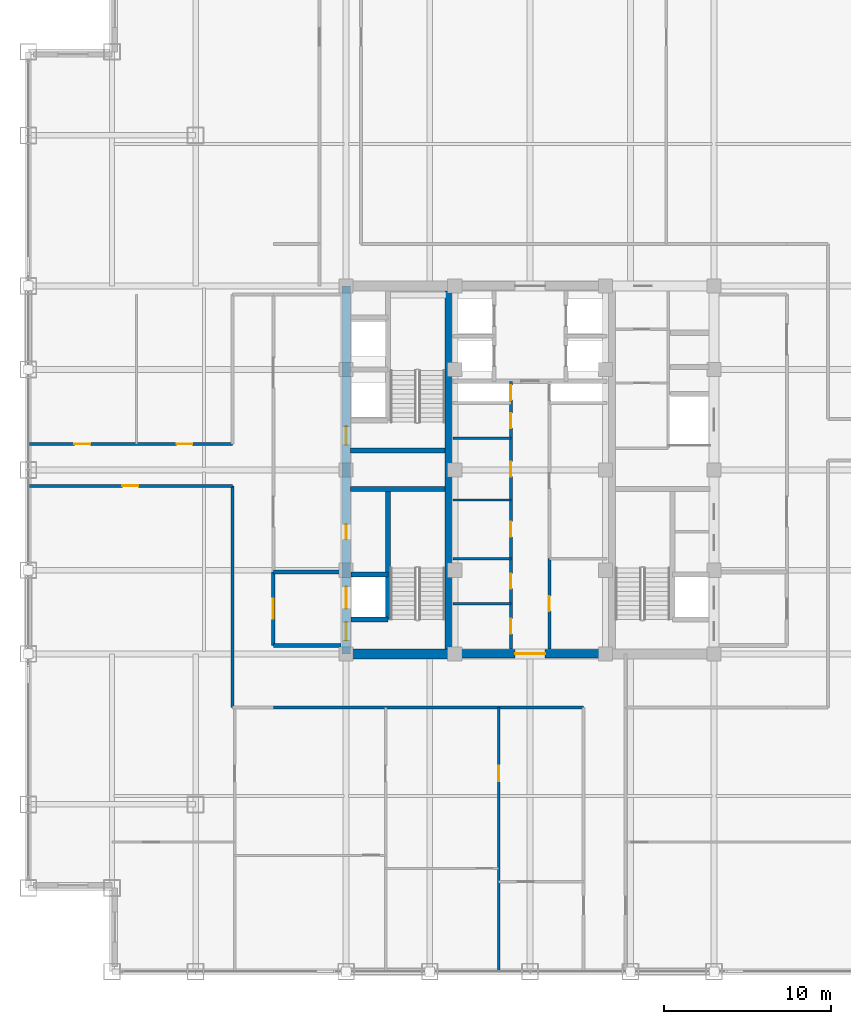
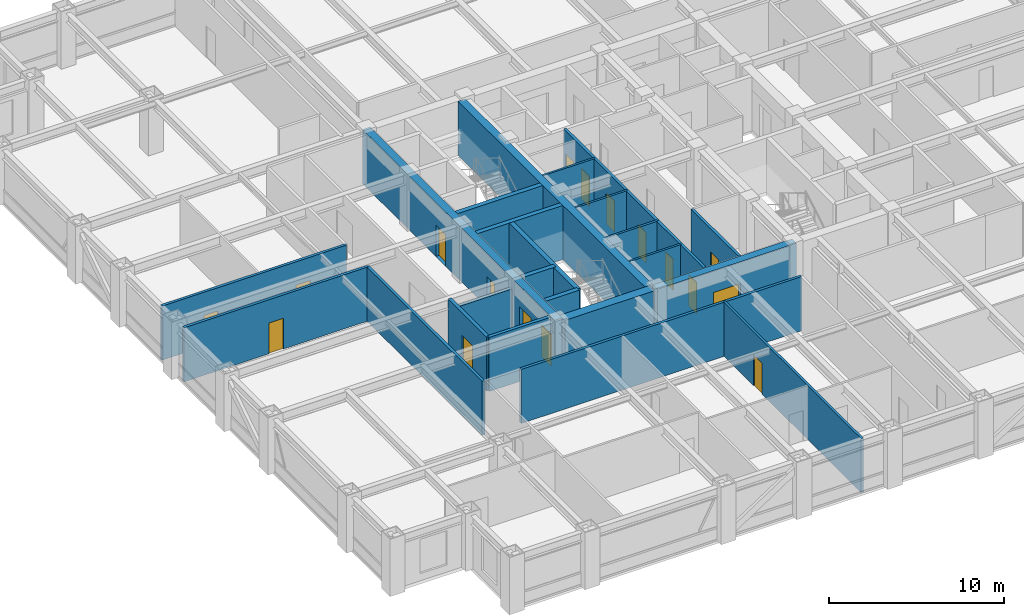
# One storey, part 20 of 24: 24 walls, 17 doors, 17 openings.
"""IFC4 building model written with IfcOpenShell, lengths in metres."""

from ifc_helpers import new_model, si_unit, direction, frame, frame_2d, origin, place, context, subcontext, project, spatial, rectangle, extrude, source, transform, mapped, material, layer, layer_set, type_object, element, fill, save


model = new_model("IFC4")

# Units and contexts
model_context = context("Model", 3, precision=1e-05, world=origin(), true_north=direction((0.0, 1.0)))
body_context = subcontext(model_context, "Body", "Model", "MODEL_VIEW")
ifc_project = project(units=[si_unit("LENGTHUNIT", "METRE"), si_unit("AREAUNIT", "SQUARE_METRE"), si_unit("VOLUMEUNIT", "CUBIC_METRE"), si_unit("PLANEANGLEUNIT", "RADIAN"), si_unit("MASSUNIT", "GRAM", prefix="KILO")], contexts=[model_context])

# Site, building, storey
site_placement = place(None, origin())
site = spatial("IfcSite", under=ifc_project, at=site_placement, CompositionType="ELEMENT")
building_placement = place(site_placement, origin())
building = spatial("IfcBuilding", under=site, at=building_placement, Name="Khorayat Bourse Tower", CompositionType="ELEMENT")
storey_placement = place(building_placement, frame((0.0, 0.0, 215.10009765625)))
storey = spatial("IfcBuildingStorey", under=building, at=storey_placement, Name="L50", CompositionType="ELEMENT", Elevation=215.10009765625)

# Wall
ifc_material_1 = material(Name="Concrete C52/65", Category="concrete")
ifc_layer_1 = layer(ifc_material_1, 0.5)
ifc_layer_set_1 = layer_set([ifc_layer_1], Name="Concrete C52/65")
wall_type_1 = type_object("IfcWallType", Name="WAL-CORE-500", PredefinedType="SHEAR", material=ifc_layer_set_1)
shared_shape_1 = source(origin(), body_context, "Body", "SweptSolid", [
    extrude(rectangle(XDim=21.39990234375, YDim=0.5, at=frame_2d((10.699951171875, 0.0))), origin(), (0.0, 0.0, 1.0), 3.77978515625),
])
wall_1_placement = place(storey_placement, frame((-4.85009765625, -10.699951171875, 0.0), z_axis=(0.0, 0.0, 1.0), x_axis=(0.0, 1.0, 0.0)))
element("IfcWall", 1, at=wall_1_placement, inside=storey, type_object=wall_type_1, Name="L50 Core Shear Wall PIER-W", PredefinedType="SHEAR", context=body_context, shape_type="MappedRepresentation", body=[
    mapped(shared_shape_1, transform((0.0, 0.0, 0.0), scale=1.0)),
])

# Wall, opening, door
shared_shape_2 = source(origin(), body_context, "Body", "SweptSolid", [
    extrude(rectangle(XDim=9.2001953125, YDim=0.5, at=frame_2d((4.60009765625, 0.0))), origin(), (0.0, 0.0, 1.0), 3.77978515625),
])
wall_2_placement = place(storey_placement, frame((-4.60009765625, -11.0, 0.0), z_axis=(0.0, 0.0, 1.0), x_axis=(1.0, 0.0, 0.0)))
wall_2 = element("IfcWall", 2, at=wall_2_placement, inside=storey, type_object=wall_type_1, Name="L50 Core Shear Wall CORE-S", PredefinedType="SHEAR", context=body_context, shape_type="MappedRepresentation", body=[
    mapped(shared_shape_2, transform((0.0, 0.0, 0.0), scale=1.0)),
])
shared_shape_3 = source(origin(), body_context, "Body", "SweptSolid", [
    extrude(rectangle(XDim=1.800048828125, YDim=2.25, at=frame_2d((0.89990234375, 1.125))), frame((0.0, 0.260009765625, 0.0), z_axis=(0.0, -1.0, 0.0), x_axis=(1.0, 0.0, 0.0)), (0.0, 0.0, 1.0), 0.52001953125),
])
opening_1_placement = place(wall_2_placement, frame((3.699951171875, 0.0, 0.0)))
opening_1 = element("IfcOpeningElement", 3, at=opening_1_placement, cuts=wall_2, Name="Opening DI-03", PredefinedType="OPENING", context=body_context, shape_type="MappedRepresentation", body=[
    mapped(shared_shape_3, transform((0.0, 0.0, 0.0), scale=1.0)),
])
ifc_material_2 = material(Name="Fire-rated hardwood vision-panel double leaf", Category="wood")
door_type_1 = type_object("IfcDoorType", Name="DR-INT-CORR-1800", OperationType="NOTDEFINED", PredefinedType="DOOR", material=ifc_material_2)
shared_shape_4 = source(origin(), body_context, "Body", "SweptSolid", [
    extrude(rectangle(XDim=1.800048828125, YDim=2.25, at=frame_2d((0.89990234375, 1.125))), frame((0.0, 0.02490234375, 0.0), z_axis=(0.0, -1.0, 0.0), x_axis=(1.0, 0.0, 0.0)), (0.0, 0.0, 1.0), 0.050048828125),
])
door_1_placement = place(opening_1_placement, origin())
door_1 = element("IfcDoor", 4, at=door_1_placement, inside=storey, type_object=door_type_1, Name="L50 Central Core South Passage Door", OperationType="SINGLE_SWING_LEFT", OverallHeight=2.25, OverallWidth=1.800048828125, PredefinedType="DOOR", context=body_context, shape_type="MappedRepresentation", body=[
    mapped(shared_shape_4, transform((0.0, 0.0, 0.0), scale=1.0)),
])
fill(opening_1, door_1)

# Wall, openings, doors
shared_shape_5 = source(origin(), body_context, "Body", "SweptSolid", [
    extrude(rectangle(XDim=22.0, YDim=0.5, at=frame_2d((11.0, 0.0))), origin(), (0.0, 0.0, 1.0), 3.77978515625),
])
wall_3_placement = place(storey_placement, frame((-11.0, -11.0, 0.0), z_axis=(0.0, 0.0, 1.0), x_axis=(0.0, 1.0, 0.0)))
wall_3 = element("IfcWall", 5, at=wall_3_placement, inside=storey, type_object=wall_type_1, Name="L50 Core Shear Wall CORE-W", PredefinedType="SHEAR", context=body_context, shape_type="MappedRepresentation", body=[
    mapped(shared_shape_5, transform((0.0, 0.0, 0.0), scale=1.0)),
])
shared_shape_6 = source(origin(), body_context, "Body", "SweptSolid", [
    extrude(rectangle(XDim=1.10009765625, YDim=2.199951171875, at=frame_2d((0.550048828125, 1.10009765625))), frame((0.0, 0.260009765625, 0.0), z_axis=(0.0, -1.0, 0.0), x_axis=(1.0, 0.0, 0.0)), (0.0, 0.0, 1.0), 0.52001953125),
])
opening_2_placement = place(wall_3_placement, frame((0.800048828125, 0.0, 0.0)))
opening_2 = element("IfcOpeningElement", 6, at=opening_2_placement, cuts=wall_3, Name="Opening DI-01", PredefinedType="OPENING", context=body_context, shape_type="MappedRepresentation", body=[
    mapped(shared_shape_6, transform((0.0, 0.0, 0.0), scale=1.0)),
])
opening_3_placement = place(wall_3_placement, frame((12.5, 0.0, 0.0)))
opening_3 = element("IfcOpeningElement", 7, at=opening_3_placement, cuts=wall_3, Name="Opening DI-01", PredefinedType="OPENING", context=body_context, shape_type="MappedRepresentation", body=[
    mapped(shared_shape_6, transform((0.0, 0.0, 0.0), scale=1.0)),
])
shared_shape_7 = source(origin(), body_context, "Body", "SweptSolid", [
    extrude(rectangle(XDim=0.89990234375, YDim=2.14990234375, at=frame_2d((0.449951171875, 1.074951171875))), frame((0.0, 0.260009765625, 0.0), z_axis=(0.0, -1.0, 0.0), x_axis=(1.0, 0.0, 0.0)), (0.0, 0.0, 1.0), 0.52001953125),
])
opening_4_placement = place(wall_3_placement, frame((6.85009765625, 0.0, 0.0)))
opening_4 = element("IfcOpeningElement", 8, at=opening_4_placement, cuts=wall_3, Name="Opening DI-06", PredefinedType="OPENING", context=body_context, shape_type="MappedRepresentation", body=[
    mapped(shared_shape_7, transform((0.0, 0.0, 0.0), scale=1.0)),
])
shared_shape_8 = source(origin(), body_context, "Body", "SweptSolid", [
    extrude(rectangle(XDim=1.300048828125, YDim=2.300048828125, at=frame_2d((0.64990234375, 1.14990234375))), frame((0.0, 0.260009765625, 0.0), z_axis=(0.0, -1.0, 0.0), x_axis=(1.0, 0.0, 0.0)), (0.0, 0.0, 1.0), 0.52001953125),
])
opening_5_placement = place(wall_3_placement, frame((2.699951171875, 0.0, 0.0)))
opening_5 = element("IfcOpeningElement", 9, at=opening_5_placement, cuts=wall_3, Name="Opening LD-02", PredefinedType="OPENING", context=body_context, shape_type="MappedRepresentation", body=[
    mapped(shared_shape_8, transform((0.0, 0.0, 0.0), scale=1.0)),
])
ifc_material_3 = material(Name="Fire-rated steel acoustic leaf", Category="steel")
door_type_2 = type_object("IfcDoorType", Name="DR-INT-STAIR-1100", OperationType="NOTDEFINED", PredefinedType="DOOR", material=ifc_material_3)
shared_shape_9 = source(origin(), body_context, "Body", "SweptSolid", [
    extrude(rectangle(XDim=1.10009765625, YDim=2.199951171875, at=frame_2d((0.550048828125, 1.10009765625))), frame((0.0, 0.02490234375, 0.0), z_axis=(0.0, -1.0, 0.0), x_axis=(1.0, 0.0, 0.0)), (0.0, 0.0, 1.0), 0.050048828125),
])
door_2_placement = place(opening_2_placement, origin())
door_2 = element("IfcDoor", 10, at=door_2_placement, inside=storey, type_object=door_type_2, Name="L50 Exit Stair 1 Door", OperationType="SINGLE_SWING_RIGHT", OverallHeight=2.199951171875, OverallWidth=1.10009765625, PredefinedType="DOOR", context=body_context, shape_type="MappedRepresentation", body=[
    mapped(shared_shape_9, transform((0.0, 0.0, 0.0), scale=1.0)),
])
fill(opening_2, door_2)
door_3_placement = place(opening_3_placement, origin())
door_3 = element("IfcDoor", 11, at=door_3_placement, inside=storey, type_object=door_type_2, Name="L50 Exit Stair 2 Door", OperationType="SINGLE_SWING_RIGHT", OverallHeight=2.199951171875, OverallWidth=1.10009765625, PredefinedType="DOOR", context=body_context, shape_type="MappedRepresentation", body=[
    mapped(shared_shape_9, transform((0.0, 0.0, 0.0), scale=1.0)),
])
fill(opening_3, door_3)
ifc_material_4 = material(Name="Moisture-resistant laminate washroom door")
door_type_3 = type_object("IfcDoorType", Name="DR-INT-WC-900", OperationType="NOTDEFINED", PredefinedType="DOOR", material=ifc_material_4)
shared_shape_10 = source(origin(), body_context, "Body", "SweptSolid", [
    extrude(rectangle(XDim=0.89990234375, YDim=2.14990234375, at=frame_2d((0.449951171875, 1.074951171875))), frame((0.0, 0.02490234375, 0.0), z_axis=(0.0, -1.0, 0.0), x_axis=(1.0, 0.0, 0.0)), (0.0, 0.0, 1.0), 0.050048828125),
])
door_4_placement = place(opening_4_placement, origin())
door_4 = element("IfcDoor", 12, at=door_4_placement, inside=storey, type_object=door_type_3, Name="L50 Electrical Switch Plant Room Door", OperationType="SINGLE_SWING_RIGHT", OverallHeight=2.14990234375, OverallWidth=0.89990234375, PredefinedType="DOOR", context=body_context, shape_type="MappedRepresentation", body=[
    mapped(shared_shape_10, transform((0.0, 0.0, 0.0), scale=1.0)),
])
fill(opening_4, door_4)
ifc_material_5 = material(Name="Fire-rated stainless-steel sliding landing door", Category="steel")
door_type_4 = type_object("IfcDoorType", Name="DR-LIFT-FF-1300", OperationType="NOTDEFINED", PredefinedType="DOOR", material=ifc_material_5)
shared_shape_11 = source(origin(), body_context, "Body", "SweptSolid", [
    extrude(rectangle(XDim=1.300048828125, YDim=2.300048828125, at=frame_2d((0.64990234375, 1.14990234375))), frame((0.0, 0.02490234375, 0.0), z_axis=(0.0, -1.0, 0.0), x_axis=(1.0, 0.0, 0.0)), (0.0, 0.0, 1.0), 0.050048828125),
])
door_5_placement = place(opening_5_placement, origin())
door_5 = element("IfcDoor", 13, at=door_5_placement, inside=storey, type_object=door_type_4, Name="L50 Lift FFL-01 Sliding Landing Door", OperationType="SLIDING_TO_LEFT", OverallHeight=2.300048828125, OverallWidth=1.300048828125, PredefinedType="DOOR", context=body_context, shape_type="MappedRepresentation", body=[
    mapped(shared_shape_11, transform((0.0, 0.0, 0.0), scale=1.0)),
])
fill(opening_5, door_5)

# Walls
ifc_material_6 = material(Name="Concrete C60/75", Category="concrete")
ifc_layer_2 = layer(ifc_material_6, 0.60009765625)
ifc_layer_set_2 = layer_set([ifc_layer_2], Name="Concrete C60/75")
wall_type_2 = type_object("IfcWallType", Name="WAL-CORE-600", PredefinedType="SHEAR", material=ifc_layer_set_2)
shared_shape_12 = source(origin(), body_context, "Body", "SweptSolid", [
    extrude(rectangle(XDim=5.89990234375, YDim=0.60009765625, at=frame_2d((2.949951171875, 0.0))), origin(), (0.0, 0.0, 1.0), 3.77978515625),
])
wall_4_placement = place(storey_placement, frame((-10.75, -11.0, 0.0), z_axis=(0.0, 0.0, 1.0), x_axis=(1.0, 0.0, 0.0)))
element("IfcWall", 14, at=wall_4_placement, inside=storey, type_object=wall_type_2, Name="L50 Core Shear Wall PIER-WS", PredefinedType="SHEAR", context=body_context, shape_type="MappedRepresentation", body=[
    mapped(shared_shape_12, transform((0.0, 0.0, 0.0), scale=1.0)),
])
ifc_material_7 = material(Name="Concrete C50/60", Category="concrete")
ifc_layer_3 = layer(ifc_material_7, 0.300048828125)
ifc_layer_set_3 = layer_set([ifc_layer_3], Name="Concrete C50/60")
wall_type_3 = type_object("IfcWallType", Name="WAL-SHAFT-300", PredefinedType="SHEAR", material=ifc_layer_set_3)
shared_shape_13 = source(origin(), body_context, "Body", "SweptSolid", [
    extrude(rectangle(XDim=5.64990234375, YDim=0.300048828125, at=frame_2d((2.824951171875, 0.0))), origin(), (0.0, 0.0, 1.0), 3.77978515625),
])
for number, where, z_axis, x_axis, name in (
    (15, (-10.75, -1.14990234375, 0.0), (0.0, 0.0, 1.0), (1.0, 0.0, 0.0), "L50 Core Shear Wall ST1-DIV"),
    (16, (-10.75, 1.14990234375, 0.0), (0.0, 0.0, 1.0), (1.0, 0.0, 0.0), "L50 Core Shear Wall ST2-DIV"),
):
    element("IfcWall", number, at=place(storey_placement, frame(where, z_axis=z_axis, x_axis=x_axis)), inside=storey, type_object=wall_type_3, Name=name, PredefinedType="SHEAR", context=body_context, shape_type="MappedRepresentation", body=[
        mapped(shared_shape_13, transform((0.0, 0.0, 0.0), scale=1.0)),
    ])
ifc_material_8 = material(Name="Aerated concrete blockwork", Category="masonry")
ifc_layer_4 = layer(ifc_material_8, 0.219970703125)
ifc_layer_set_4 = layer_set([ifc_layer_4], Name="Aerated concrete blockwork")
wall_type_4 = type_object("IfcWallType", Name="WAL-PART-FF-220", PredefinedType="PARTITIONING", material=ifc_layer_set_4)
shared_shape_14 = source(origin(), body_context, "Body", "SweptSolid", [
    extrude(rectangle(XDim=4.050048828125, YDim=0.219970703125, at=frame_2d((2.02490234375, 0.0))), origin(), (0.0, 0.0, 1.0), 3.0849609375),
])
wall_5_placement = place(storey_placement, frame((-15.35009765625, -6.10009765625, 0.0), z_axis=(0.0, 0.0, 1.0), x_axis=(1.0, 0.0, 0.0)))
element("IfcWall", 17, at=wall_5_placement, inside=storey, type_object=wall_type_4, Name="L50 Partition WAL-L50-FFLW-N", PredefinedType="PARTITIONING", context=body_context, shape_type="MappedRepresentation", body=[
    mapped(shared_shape_14, transform((0.0, 0.0, 0.0), scale=1.0)),
])
shared_shape_15 = source(origin(), body_context, "Body", "SweptSolid", [
    extrude(rectangle(XDim=7.800048828125, YDim=0.300048828125, at=frame_2d((3.89990234375, 0.0))), origin(), (0.0, 0.0, 1.0), 3.77978515625),
])
wall_6_placement = place(storey_placement, frame((-8.5, -8.949951171875, 0.0), z_axis=(0.0, 0.0, 1.0), x_axis=(0.0, 1.0, 0.0)))
element("IfcWall", 18, at=wall_6_placement, inside=storey, type_object=wall_type_3, Name="L50 Partition WAL-L50-WPIER-SP", PredefinedType="SHEAR", context=body_context, shape_type="MappedRepresentation", body=[
    mapped(shared_shape_15, transform((0.0, 0.0, 0.0), scale=1.0)),
])
shared_shape_16 = source(origin(), body_context, "Body", "SweptSolid", [
    extrude(rectangle(XDim=2.199951171875, YDim=0.300048828125, at=frame_2d((1.10009765625, 0.0))), origin(), (0.0, 0.0, 1.0), 3.77978515625),
])
for number, where, z_axis, x_axis, name in (
    (19, (-10.699951171875, -8.949951171875, 0.0), (0.0, 0.0, 1.0), (1.0, 0.0, 0.0), "L50 Partition WAL-L50-WPIER-FF1S"),
    (20, (-10.699951171875, -6.25, 0.0), (0.0, 0.0, 1.0), (1.0, 0.0, 0.0), "L50 Partition WAL-L50-WPIER-FF1N"),
):
    element("IfcWall", number, at=place(storey_placement, frame(where, z_axis=z_axis, x_axis=x_axis)), inside=storey, type_object=wall_type_3, Name=name, PredefinedType="SHEAR", context=body_context, shape_type="MappedRepresentation", body=[
        mapped(shared_shape_16, transform((0.0, 0.0, 0.0), scale=1.0)),
    ])
shared_shape_17 = source(origin(), body_context, "Body", "SweptSolid", [
    extrude(rectangle(XDim=4.050048828125, YDim=0.219970703125, at=frame_2d((2.02490234375, 0.0))), origin(), (0.0, 0.0, 1.0), 3.77978515625),
])
wall_7_placement = place(storey_placement, frame((-15.35009765625, -10.5, 0.0), z_axis=(0.0, 0.0, 1.0), x_axis=(1.0, 0.0, 0.0)))
element("IfcWall", 21, at=wall_7_placement, inside=storey, type_object=wall_type_4, Name="L50 Partition WAL-L50-FFLW-S", PredefinedType="PARTITIONING", context=body_context, shape_type="MappedRepresentation", body=[
    mapped(shared_shape_17, transform((0.0, 0.0, 0.0), scale=1.0)),
])

# Wall, opening, door
shared_shape_18 = source(origin(), body_context, "Body", "SweptSolid", [
    extrude(rectangle(XDim=4.39990234375, YDim=0.219970703125, at=frame_2d((2.199951171875, 0.0))), origin(), (0.0, 0.0, 1.0), 3.77978515625),
])
wall_8_placement = place(storey_placement, frame((-15.35009765625, -10.5, 0.0), z_axis=(0.0, 0.0, 1.0), x_axis=(0.0, 1.0, 0.0)))
wall_8 = element("IfcWall", 22, at=wall_8_placement, inside=storey, type_object=wall_type_4, Name="L50 Partition WAL-L50-FFLW-W", PredefinedType="PARTITIONING", context=body_context, shape_type="MappedRepresentation", body=[
    mapped(shared_shape_18, transform((0.0, 0.0, 0.0), scale=1.0)),
])
shared_shape_19 = source(origin(), body_context, "Body", "SweptSolid", [
    extrude(rectangle(XDim=1.199951171875, YDim=2.199951171875, at=frame_2d((0.60009765625, 1.10009765625))), frame((0.0, 0.119873046875, 0.0), z_axis=(0.0, -1.0, 0.0), x_axis=(1.0, 0.0, 0.0)), (0.0, 0.0, 1.0), 0.239990234375),
])
opening_6_placement = place(wall_8_placement, frame((1.60009765625, 0.0, 0.0)))
opening_6 = element("IfcOpeningElement", 23, at=opening_6_placement, cuts=wall_8, Name="Opening DI-02", PredefinedType="OPENING", context=body_context, shape_type="MappedRepresentation", body=[
    mapped(shared_shape_19, transform((0.0, 0.0, 0.0), scale=1.0)),
])
ifc_material_9 = material(Name="Fire-rated steel double-seal leaf", Category="steel")
door_type_5 = type_object("IfcDoorType", Name="DR-INT-FFLOBBY-1200", OperationType="NOTDEFINED", PredefinedType="DOOR", material=ifc_material_9)
shared_shape_20 = source(origin(), body_context, "Body", "SweptSolid", [
    extrude(rectangle(XDim=1.199951171875, YDim=2.199951171875, at=frame_2d((0.60009765625, 1.10009765625))), frame((0.0, 0.02490234375, 0.0), z_axis=(0.0, -1.0, 0.0), x_axis=(1.0, 0.0, 0.0)), (0.0, 0.0, 1.0), 0.050048828125),
])
door_6_placement = place(opening_6_placement, origin())
door_6 = element("IfcDoor", 24, at=door_6_placement, inside=storey, type_object=door_type_5, Name="L50 West Firefighting Lobby Door", OperationType="SINGLE_SWING_LEFT", OverallHeight=2.199951171875, OverallWidth=1.199951171875, PredefinedType="DOOR", context=body_context, shape_type="MappedRepresentation", body=[
    mapped(shared_shape_20, transform((0.0, 0.0, 0.0), scale=1.0)),
])
fill(opening_6, door_6)

# Walls
ifc_material_10 = material(Name="Gypsum plasterboard twin-frame partition")
ifc_layer_5 = layer(ifc_material_10, 0.14990234375)
ifc_layer_set_5 = layer_set([ifc_layer_5], Name="Gypsum plasterboard twin-frame partition")
wall_type_5 = type_object("IfcWallType", Name="WAL-PART-SUITE-150", PredefinedType="PARTITIONING", material=ifc_layer_set_5)
shared_shape_21 = source(origin(), body_context, "Body", "SweptSolid", [
    extrude(rectangle(XDim=3.4501953125, YDim=0.14990234375, at=frame_2d((1.72509765625, 0.0))), origin(), (0.0, 0.0, 1.0), 3.77978515625),
])
wall_9_placement = place(storey_placement, frame((-4.60009765625, -5.300048828125, 0.0), z_axis=(0.0, 0.0, 1.0), x_axis=(1.0, 0.0, 0.0)))
element("IfcWall", 25, at=wall_9_placement, inside=storey, type_object=wall_type_5, Name="L50 Partition WAL-L50-FB1-NW", PredefinedType="PARTITIONING", context=body_context, shape_type="MappedRepresentation", body=[
    mapped(shared_shape_21, transform((0.0, 0.0, 0.0), scale=1.0)),
])
ifc_material_11 = material(Name="Moisture-resistant masonry partition", Category="masonry")
ifc_layer_6 = layer(ifc_material_11, 0.139892578125)
ifc_layer_set_6 = layer_set([ifc_layer_6], Name="Moisture-resistant masonry partition")
wall_type_6 = type_object("IfcWallType", Name="WAL-PART-WET-140", PredefinedType="PARTITIONING", material=ifc_layer_set_6)
shared_shape_22 = source(origin(), body_context, "Body", "SweptSolid", [
    extrude(rectangle(XDim=3.4501953125, YDim=0.139892578125, at=frame_2d((1.72509765625, 0.0))), origin(), (0.0, 0.0, 1.0), 3.77978515625),
])
for number, where, z_axis, x_axis, name in (
    (26, (-4.60009765625, -8.0, 0.0), (0.0, 0.0, 1.0), (1.0, 0.0, 0.0), "L50 Partition WAL-L50-FB1W-D1"),
    (27, (-4.60009765625, -1.800048828125, 0.0), (0.0, 0.0, 1.0), (1.0, 0.0, 0.0), "L50 Partition WAL-L50-CMW-D1"),
    (28, (-4.60009765625, 1.89990234375, 0.0), (0.0, 0.0, 1.0), (1.0, 0.0, 0.0), "L50 Partition WAL-L50-CMW-D2"),
):
    element("IfcWall", number, at=place(storey_placement, frame(where, z_axis=z_axis, x_axis=x_axis)), inside=storey, type_object=wall_type_6, Name=name, PredefinedType="PARTITIONING", context=body_context, shape_type="MappedRepresentation", body=[
        mapped(shared_shape_22, transform((0.0, 0.0, 0.0), scale=1.0)),
    ])

# Wall, openings, doors
ifc_material_12 = material(Name="Gypsum plasterboard acoustic stud wall")
ifc_layer_7 = layer(ifc_material_12, 0.179931640625)
ifc_layer_set_7 = layer_set([ifc_layer_7], Name="Gypsum plasterboard acoustic stud wall")
wall_type_7 = type_object("IfcWallType", Name="WAL-PART-CORR-180", PredefinedType="PARTITIONING", material=ifc_layer_set_7)
shared_shape_23 = source(origin(), body_context, "Body", "SweptSolid", [
    extrude(rectangle(XDim=5.39990234375, YDim=0.179931640625, at=frame_2d((2.699951171875, 0.0))), origin(), (0.0, 0.0, 1.0), 3.77978515625),
])
wall_10_placement = place(storey_placement, frame((-1.14990234375, -10.699951171875, 0.0), z_axis=(0.0, 0.0, 1.0), x_axis=(0.0, 1.0, 0.0)))
wall_10 = element("IfcWall", 29, at=wall_10_placement, inside=storey, type_object=wall_type_7, Name="L50 Partition WAL-L50-FB1W-L", PredefinedType="PARTITIONING", context=body_context, shape_type="MappedRepresentation", body=[
    mapped(shared_shape_23, transform((0.0, 0.0, 0.0), scale=1.0)),
])
shared_shape_24 = source(origin(), body_context, "Body", "SweptSolid", [
    extrude(rectangle(XDim=0.89990234375, YDim=2.14990234375, at=frame_2d((0.449951171875, 1.074951171875))), frame((0.0, 0.099853515625, 0.0), z_axis=(0.0, -1.0, 0.0), x_axis=(1.0, 0.0, 0.0)), (0.0, 0.0, 1.0), 0.199951171875),
])
opening_7_placement = place(wall_10_placement, frame((0.89990234375, 0.0, 0.0)))
opening_7 = element("IfcOpeningElement", 30, at=opening_7_placement, cuts=wall_10, Name="Opening DI-06", PredefinedType="OPENING", context=body_context, shape_type="MappedRepresentation", body=[
    mapped(shared_shape_24, transform((0.0, 0.0, 0.0), scale=1.0)),
])
opening_8_placement = place(wall_10_placement, frame((3.60009765625, 0.0, 0.0)))
opening_8 = element("IfcOpeningElement", 31, at=opening_8_placement, cuts=wall_10, Name="Opening DI-06", PredefinedType="OPENING", context=body_context, shape_type="MappedRepresentation", body=[
    mapped(shared_shape_24, transform((0.0, 0.0, 0.0), scale=1.0)),
])
door_7_placement = place(opening_7_placement, origin())
door_7 = element("IfcDoor", 32, at=door_7_placement, inside=storey, type_object=door_type_3, Name="L50 Clearing Vault Store Door", OperationType="SINGLE_SWING_RIGHT", OverallHeight=2.14990234375, OverallWidth=0.89990234375, PredefinedType="DOOR", context=body_context, shape_type="MappedRepresentation", body=[
    mapped(shared_shape_10, transform((0.0, 0.0, 0.0), scale=1.0)),
])
fill(opening_7, door_7)
door_8_placement = place(opening_8_placement, origin())
door_8 = element("IfcDoor", 33, at=door_8_placement, inside=storey, type_object=door_type_3, Name="L50 UPS Battery Plant Room Door", OperationType="SINGLE_SWING_LEFT", OverallHeight=2.14990234375, OverallWidth=0.89990234375, PredefinedType="DOOR", context=body_context, shape_type="MappedRepresentation", body=[
    mapped(shared_shape_10, transform((0.0, 0.0, 0.0), scale=1.0)),
])
fill(opening_8, door_8)

# Wall, opening, door
wall_11_placement = place(storey_placement, frame((1.14990234375, -10.699951171875, 0.0), z_axis=(0.0, 0.0, 1.0), x_axis=(0.0, 1.0, 0.0)))
wall_11 = element("IfcWall", 34, at=wall_11_placement, inside=storey, type_object=wall_type_7, Name="L50 Partition WAL-L50-FB1E-L", PredefinedType="PARTITIONING", context=body_context, shape_type="MappedRepresentation", body=[
    mapped(shared_shape_23, transform((0.0, 0.0, 0.0), scale=1.0)),
])
opening_9_placement = place(wall_11_placement, frame((2.25, 0.0, 0.0)))
opening_9 = element("IfcOpeningElement", 35, at=opening_9_placement, cuts=wall_11, Name="Opening DI-06", PredefinedType="OPENING", context=body_context, shape_type="MappedRepresentation", body=[
    mapped(shared_shape_24, transform((0.0, 0.0, 0.0), scale=1.0)),
])
door_9_placement = place(opening_9_placement, origin())
door_9 = element("IfcDoor", 36, at=door_9_placement, inside=storey, type_object=door_type_3, Name="L50 Core Archive Vault Door", OperationType="SINGLE_SWING_RIGHT", OverallHeight=2.14990234375, OverallWidth=0.89990234375, PredefinedType="DOOR", context=body_context, shape_type="MappedRepresentation", body=[
    mapped(shared_shape_10, transform((0.0, 0.0, 0.0), scale=1.0)),
])
fill(opening_9, door_9)

# Wall, openings, doors
shared_shape_25 = source(origin(), body_context, "Body", "SweptSolid", [
    extrude(rectangle(XDim=10.60009765625, YDim=0.179931640625, at=frame_2d((5.300048828125, 0.0))), origin(), (0.0, 0.0, 1.0), 3.77978515625),
])
wall_12_placement = place(storey_placement, frame((-1.14990234375, -5.300048828125, 0.0), z_axis=(0.0, 0.0, 1.0), x_axis=(0.0, 1.0, 0.0)))
wall_12 = element("IfcWall", 37, at=wall_12_placement, inside=storey, type_object=wall_type_7, Name="L50 Partition WAL-L50-CMW-L", PredefinedType="PARTITIONING", context=body_context, shape_type="MappedRepresentation", body=[
    mapped(shared_shape_25, transform((0.0, 0.0, 0.0), scale=1.0)),
])
opening_10_placement = place(wall_12_placement, frame((1.300048828125, 0.0, 0.0)))
opening_10 = element("IfcOpeningElement", 38, at=opening_10_placement, cuts=wall_12, Name="Opening DI-06", PredefinedType="OPENING", context=body_context, shape_type="MappedRepresentation", body=[
    mapped(shared_shape_24, transform((0.0, 0.0, 0.0), scale=1.0)),
])
opening_11_placement = place(wall_12_placement, frame((4.89990234375, 0.0, 0.0)))
opening_11 = element("IfcOpeningElement", 39, at=opening_11_placement, cuts=wall_12, Name="Opening DI-06", PredefinedType="OPENING", context=body_context, shape_type="MappedRepresentation", body=[
    mapped(shared_shape_24, transform((0.0, 0.0, 0.0), scale=1.0)),
])
opening_12_placement = place(wall_12_placement, frame((7.800048828125, 0.0, 0.0)))
opening_12 = element("IfcOpeningElement", 40, at=opening_12_placement, cuts=wall_12, Name="Opening DI-06", PredefinedType="OPENING", context=body_context, shape_type="MappedRepresentation", body=[
    mapped(shared_shape_24, transform((0.0, 0.0, 0.0), scale=1.0)),
])
opening_13_placement = place(wall_12_placement, frame((9.47509765625, 0.0, 0.0)))
opening_13 = element("IfcOpeningElement", 41, at=opening_13_placement, cuts=wall_12, Name="Opening DI-06", PredefinedType="OPENING", context=body_context, shape_type="MappedRepresentation", body=[
    mapped(shared_shape_24, transform((0.0, 0.0, 0.0), scale=1.0)),
])
door_10_placement = place(opening_10_placement, origin())
door_10 = element("IfcDoor", 42, at=door_10_placement, inside=storey, type_object=door_type_3, Name="L50 Male Core Washroom Door", OperationType="SINGLE_SWING_RIGHT", OverallHeight=2.14990234375, OverallWidth=0.89990234375, PredefinedType="DOOR", context=body_context, shape_type="MappedRepresentation", body=[
    mapped(shared_shape_10, transform((0.0, 0.0, 0.0), scale=1.0)),
])
fill(opening_10, door_10)
door_11_placement = place(opening_11_placement, origin())
door_11 = element("IfcDoor", 43, at=door_11_placement, inside=storey, type_object=door_type_3, Name="L50 AHU Fan Plant Room Door", OperationType="SINGLE_SWING_LEFT", OverallHeight=2.14990234375, OverallWidth=0.89990234375, PredefinedType="DOOR", context=body_context, shape_type="MappedRepresentation", body=[
    mapped(shared_shape_10, transform((0.0, 0.0, 0.0), scale=1.0)),
])
fill(opening_11, door_11)
door_12_placement = place(opening_12_placement, origin())
door_12 = element("IfcDoor", 44, at=door_12_placement, inside=storey, type_object=door_type_3, Name="L50 Janitor Store Door", OperationType="SINGLE_SWING_RIGHT", OverallHeight=2.14990234375, OverallWidth=0.89990234375, PredefinedType="DOOR", context=body_context, shape_type="MappedRepresentation", body=[
    mapped(shared_shape_10, transform((0.0, 0.0, 0.0), scale=1.0)),
])
fill(opening_12, door_12)
door_13_placement = place(opening_13_placement, origin())
door_13 = element("IfcDoor", 45, at=door_13_placement, inside=storey, type_object=door_type_3, Name="L50 West Core Riser Door", OperationType="SINGLE_SWING_LEFT", OverallHeight=2.14990234375, OverallWidth=0.89990234375, PredefinedType="DOOR", context=body_context, shape_type="MappedRepresentation", body=[
    mapped(shared_shape_10, transform((0.0, 0.0, 0.0), scale=1.0)),
])
fill(opening_13, door_13)

# Wall, opening, door
shared_shape_26 = source(origin(), body_context, "Body", "SweptSolid", [
    extrude(rectangle(XDim=15.800048828125, YDim=0.14990234375, at=frame_2d((7.89990234375, 0.0))), origin(), (0.0, 0.0, 1.0), 3.77978515625),
])
wall_13_placement = place(storey_placement, frame((-1.8759765625, -30.0, 0.0), z_axis=(0.0, 0.0, 1.0), x_axis=(0.0, 1.0, 0.0)))
wall_13 = element("IfcWall", 46, at=wall_13_placement, inside=storey, type_object=wall_type_5, Name="L50 Partition WAL-L50-QSWDV-3", PredefinedType="PARTITIONING", context=body_context, shape_type="MappedRepresentation", body=[
    mapped(shared_shape_26, transform((0.0, 0.0, 0.0), scale=1.0)),
])
shared_shape_27 = source(origin(), body_context, "Body", "SweptSolid", [
    extrude(rectangle(XDim=0.949951171875, YDim=2.14990234375, at=frame_2d((0.47509765625, 1.074951171875))), frame((0.0, 0.0849609375, 0.0), z_axis=(0.0, -1.0, 0.0), x_axis=(1.0, 0.0, 0.0)), (0.0, 0.0, 1.0), 0.169921875),
])
opening_14_placement = place(wall_13_placement, frame((11.375, 0.0, 0.0)))
opening_14 = element("IfcOpeningElement", 47, at=opening_14_placement, cuts=wall_13, Name="Opening DI-05", PredefinedType="OPENING", context=body_context, shape_type="MappedRepresentation", body=[
    mapped(shared_shape_27, transform((0.0, 0.0, 0.0), scale=1.0)),
])
ifc_material_13 = material(Name="Acoustic oak veneer office door")
door_type_6 = type_object("IfcDoorType", Name="DR-INT-OFFICE-950", OperationType="NOTDEFINED", PredefinedType="DOOR", material=ifc_material_13)
shared_shape_28 = source(origin(), body_context, "Body", "SweptSolid", [
    extrude(rectangle(XDim=0.949951171875, YDim=2.14990234375, at=frame_2d((0.47509765625, 1.074951171875))), frame((0.0, 0.02490234375, 0.0), z_axis=(0.0, -1.0, 0.0), x_axis=(1.0, 0.0, 0.0)), (0.0, 0.0, 1.0), 0.050048828125),
])
door_14_placement = place(opening_14_placement, origin())
door_14 = element("IfcDoor", 48, at=door_14_placement, inside=storey, type_object=door_type_6, Name="L50 South-West Suite Link 3", OperationType="SINGLE_SWING_RIGHT", OverallHeight=2.14990234375, OverallWidth=0.949951171875, PredefinedType="DOOR", context=body_context, shape_type="MappedRepresentation", body=[
    mapped(shared_shape_28, transform((0.0, 0.0, 0.0), scale=1.0)),
])
fill(opening_14, door_14)

shared_shape_29 = source(origin(), body_context, "Body", "SweptSolid", [
    extrude(rectangle(XDim=12.199951171875, YDim=0.179931640625, at=frame_2d((6.10009765625, 0.0))), origin(), (0.0, 0.0, 1.0), 3.77978515625),
])
wall_14_placement = place(storey_placement, frame((-30.0, -0.949951171875, 0.0), z_axis=(0.0, 0.0, 1.0), x_axis=(1.0, 0.0, 0.0)))
wall_14 = element("IfcWall", 49, at=wall_14_placement, inside=storey, type_object=wall_type_7, Name="L50 Partition WAL-L50-WS-SPK", PredefinedType="PARTITIONING", context=body_context, shape_type="MappedRepresentation", body=[
    mapped(shared_shape_29, transform((0.0, 0.0, 0.0), scale=1.0)),
])
shared_shape_30 = source(origin(), body_context, "Body", "SweptSolid", [
    extrude(rectangle(XDim=0.949951171875, YDim=2.14990234375, at=frame_2d((0.47509765625, 1.074951171875))), frame((0.0, 0.099853515625, 0.0), z_axis=(0.0, -1.0, 0.0), x_axis=(1.0, 0.0, 0.0)), (0.0, 0.0, 1.0), 0.199951171875),
])
opening_15_placement = place(wall_14_placement, frame((5.625, 0.0, 0.0)))
opening_15 = element("IfcOpeningElement", 50, at=opening_15_placement, cuts=wall_14, Name="Opening DI-05", PredefinedType="OPENING", context=body_context, shape_type="MappedRepresentation", body=[
    mapped(shared_shape_30, transform((0.0, 0.0, 0.0), scale=1.0)),
])
door_15_placement = place(opening_15_placement, origin())
door_15 = element("IfcDoor", 51, at=door_15_placement, inside=storey, type_object=door_type_6, Name="L50 Market Risk Analytics Workspace WS Door", OperationType="SINGLE_SWING_LEFT", OverallHeight=2.14990234375, OverallWidth=0.949951171875, PredefinedType="DOOR", context=body_context, shape_type="MappedRepresentation", body=[
    mapped(shared_shape_28, transform((0.0, 0.0, 0.0), scale=1.0)),
])
fill(opening_15, door_15)

# Wall, openings, doors
wall_15_placement = place(storey_placement, frame((-30.0, 1.550048828125, 0.0), z_axis=(0.0, 0.0, 1.0), x_axis=(1.0, 0.0, 0.0)))
wall_15 = element("IfcWall", 52, at=wall_15_placement, inside=storey, type_object=wall_type_7, Name="L50 Partition WAL-L50-WN-SPK", PredefinedType="PARTITIONING", context=body_context, shape_type="MappedRepresentation", body=[
    mapped(shared_shape_29, transform((0.0, 0.0, 0.0), scale=1.0)),
])
opening_16_placement = place(wall_15_placement, frame((2.758056640625, 0.0, 0.0)))
opening_16 = element("IfcOpeningElement", 53, at=opening_16_placement, cuts=wall_15, Name="Opening DI-05", PredefinedType="OPENING", context=body_context, shape_type="MappedRepresentation", body=[
    mapped(shared_shape_30, transform((0.0, 0.0, 0.0), scale=1.0)),
])
opening_17_placement = place(wall_15_placement, frame((8.85791015625, 0.0, 0.0)))
opening_17 = element("IfcOpeningElement", 54, at=opening_17_placement, cuts=wall_15, Name="Opening DI-05", PredefinedType="OPENING", context=body_context, shape_type="MappedRepresentation", body=[
    mapped(shared_shape_30, transform((0.0, 0.0, 0.0), scale=1.0)),
])
door_16_placement = place(opening_16_placement, origin())
door_16 = element("IfcDoor", 55, at=door_16_placement, inside=storey, type_object=door_type_6, Name="L50 Equities Trading Desk WNA Door", OperationType="SINGLE_SWING_LEFT", OverallHeight=2.14990234375, OverallWidth=0.949951171875, PredefinedType="DOOR", context=body_context, shape_type="MappedRepresentation", body=[
    mapped(shared_shape_28, transform((0.0, 0.0, 0.0), scale=1.0)),
])
fill(opening_16, door_16)
door_17_placement = place(opening_17_placement, origin())
door_17 = element("IfcDoor", 56, at=door_17_placement, inside=storey, type_object=door_type_6, Name="L50 Clearing Operations Office WNB Door", OperationType="SINGLE_SWING_RIGHT", OverallHeight=2.14990234375, OverallWidth=0.949951171875, PredefinedType="DOOR", context=body_context, shape_type="MappedRepresentation", body=[
    mapped(shared_shape_28, transform((0.0, 0.0, 0.0), scale=1.0)),
])
fill(opening_17, door_17)

# Walls
shared_shape_31 = source(origin(), body_context, "Body", "SweptSolid", [
    extrude(rectangle(XDim=18.550048828125, YDim=0.179931640625, at=frame_2d((9.27490234375, 0.0))), origin(), (0.0, 0.0, 1.0), 3.77978515625),
])
wall_16_placement = place(storey_placement, frame((-15.35009765625, -14.199951171875, 0.0), z_axis=(0.0, 0.0, 1.0), x_axis=(1.0, 0.0, 0.0)))
element("IfcWall", 57, at=wall_16_placement, inside=storey, type_object=wall_type_7, Name="L50 Partition WAL-L50-QSW-HC", PredefinedType="PARTITIONING", context=body_context, shape_type="MappedRepresentation", body=[
    mapped(shared_shape_31, transform((0.0, 0.0, 0.0), scale=1.0)),
])
shared_shape_32 = source(origin(), body_context, "Body", "SweptSolid", [
    extrude(rectangle(XDim=13.25, YDim=0.179931640625, at=frame_2d((6.625, 0.0))), origin(), (0.0, 0.0, 1.0), 3.77978515625),
])
wall_17_placement = place(storey_placement, frame((-17.800048828125, -14.199951171875, 0.0), z_axis=(0.0, 0.0, 1.0), x_axis=(0.0, 1.0, 0.0)))
element("IfcWall", 58, at=wall_17_placement, inside=storey, type_object=wall_type_7, Name="L50 Partition WAL-L50-WS-IN", PredefinedType="PARTITIONING", context=body_context, shape_type="MappedRepresentation", body=[
    mapped(shared_shape_32, transform((0.0, 0.0, 0.0), scale=1.0)),
])

save(model, "model.ifc")
